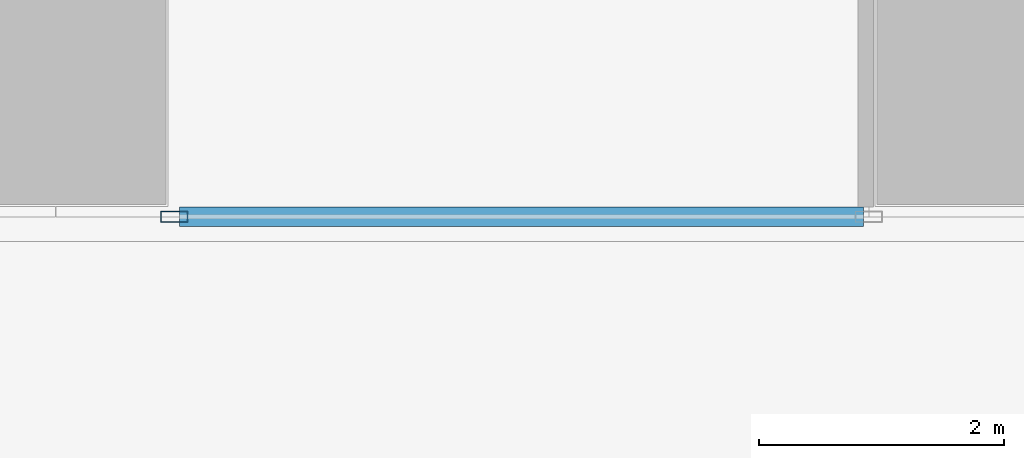
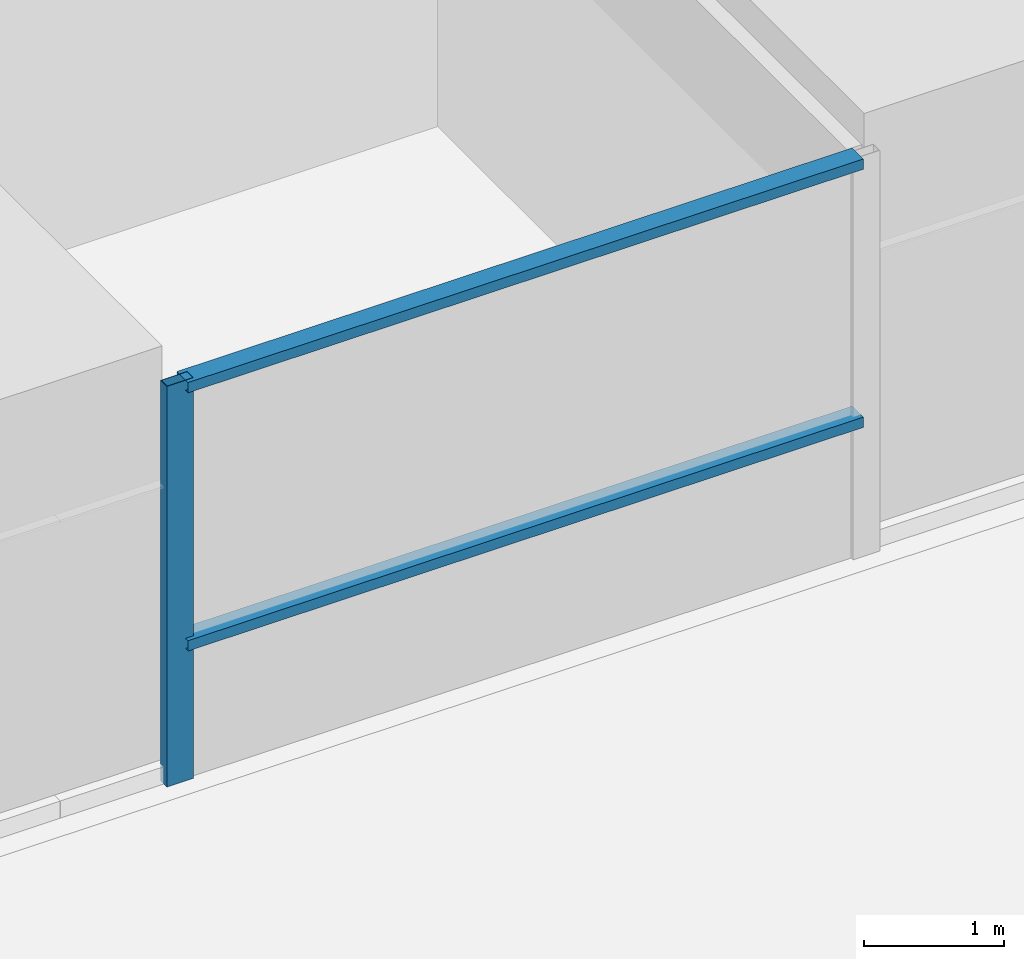
# One storey, part 3 of 35: 3 members, 1 element without a shape of its own.
"""IFC4 building model written with IfcOpenShell, lengths in metres."""

from ifc_helpers import new_model, si_unit, direction, frame, origin, origin_2d, place, context, subcontext, project, spatial, hollow_rectangle, extrude, material, material_profile, profile_set, type_object, element, aggregate, save


model = new_model("IFC4")

# Units and contexts
model_context = context("Model", 3, precision=1e-05, world=origin(), true_north=direction((0.0, 1.0)))
body_context = subcontext(model_context, "Body", "Model", "MODEL_VIEW")
ifc_project = project(units=[si_unit("LENGTHUNIT", "METRE"), si_unit("AREAUNIT", "SQUARE_METRE"), si_unit("VOLUMEUNIT", "CUBIC_METRE"), si_unit("PLANEANGLEUNIT", "RADIAN"), si_unit("MASSUNIT", "GRAM", prefix="KILO")], contexts=[model_context])

# Site, building, storey
site_placement = place(None, origin())
site = spatial("IfcSite", under=ifc_project, at=site_placement, CompositionType="ELEMENT")
building_placement = place(site_placement, origin())
building = spatial("IfcBuilding", under=site, at=building_placement, Name="Rekha Terrace Tower", CompositionType="ELEMENT")
storey_placement = place(building_placement, frame((0.0, 0.0, 25.39990234375)))
storey = spatial("IfcBuildingStorey", under=building, at=storey_placement, Name="L05", CompositionType="ELEMENT", Elevation=25.39990234375)

# Curtain wall, members
ifc_material_1 = material(Name="Aluminium framing", Category="aluminium")
curtain_wall_type = type_object("IfcCurtainWallType", Name="CW5 sky garden glazing", PredefinedType="USERDEFINED", material=ifc_material_1)
curtain_wall_placement = place(storey_placement, origin())
curtain_wall = element("IfcCurtainWall", 1, at=curtain_wall_placement, inside=storey, type_object=curtain_wall_type, Name="CW5 sky garden curtain wall", ObjectType="SKY GARDEN CURTAIN WALL", PredefinedType="USERDEFINED")
ifc_material_2 = material(Name="Aluminium mullion section", Category="aluminium")
ifc_material_profile_1 = material_profile(ifc_material_2, hollow_rectangle(XDim=0.090087890625, YDim=0.219970703125, WallThickness=0.00390625, at=origin_2d()), Name="AL RHS 90x220")
ifc_profile_set_1 = profile_set([ifc_material_profile_1], Name="Aluminium mullion section")
member_type_1 = type_object("IfcMemberType", Name="CW5 mullion RHS 90 x 220", PredefinedType="MULLION", material=ifc_profile_set_1)
member_1_placement = place(storey_placement, frame((26.56494140625, 7.0, 0.0), z_axis=(0.0, 0.0, 1.0), x_axis=(0.0, 1.0, 0.0)))
member_1 = element("IfcMember", 2, at=member_1_placement, type_object=member_type_1, Name="CW5 mullion 1", PredefinedType="MULLION", context=body_context, shape_type="SweptSolid", body=[
    extrude(hollow_rectangle(XDim=0.090087890625, YDim=0.219970703125, WallThickness=0.00390625, at=origin_2d()), origin(), (0.0, 0.0, 1.0), 3.5),
])
ifc_material_3 = material(Name="Aluminium transom section", Category="aluminium")
ifc_material_profile_2 = material_profile(ifc_material_3, hollow_rectangle(XDim=0.159912109375, YDim=0.090087890625, WallThickness=0.0029296875, at=origin_2d()), Name="AL RHS 160x90")
ifc_profile_set_2 = profile_set([ifc_material_profile_2], Name="Aluminium transom section")
member_type_2 = type_object("IfcMemberType", Name="CW5 transom RHS 90 x 160", PredefinedType="USERDEFINED", material=ifc_profile_set_2)
member_2_placement = place(storey_placement, frame((26.610107421875, 7.0, 1.2001953125), z_axis=(1.0, 0.0, 0.0), x_axis=(0.0, 1.0, 0.0)))
member_2 = element("IfcMember", 3, at=member_2_placement, type_object=member_type_2, Name="CW5 transom 1.2", ObjectType="TRANSOM", PredefinedType="USERDEFINED", context=body_context, shape_type="SweptSolid", body=[
    extrude(hollow_rectangle(XDim=0.159912109375, YDim=0.090087890625, WallThickness=0.0029296875, at=origin_2d()), origin(), (0.0, 0.0, 1.0), 5.579833984375),
])
member_3_placement = place(storey_placement, frame((26.610107421875, 7.0, 3.455078125), z_axis=(1.0, 0.0, 0.0), x_axis=(0.0, 1.0, 0.0)))
member_3 = element("IfcMember", 4, at=member_3_placement, type_object=member_type_2, Name="CW5 transom 1.3", ObjectType="TRANSOM", PredefinedType="USERDEFINED", context=body_context, shape_type="SweptSolid", body=[
    extrude(hollow_rectangle(XDim=0.159912109375, YDim=0.090087890625, WallThickness=0.0029296875, at=origin_2d()), origin(), (0.0, 0.0, 1.0), 5.579833984375),
])
aggregate(curtain_wall, [member_1, member_2, member_3])

save(model, "model.ifc")
